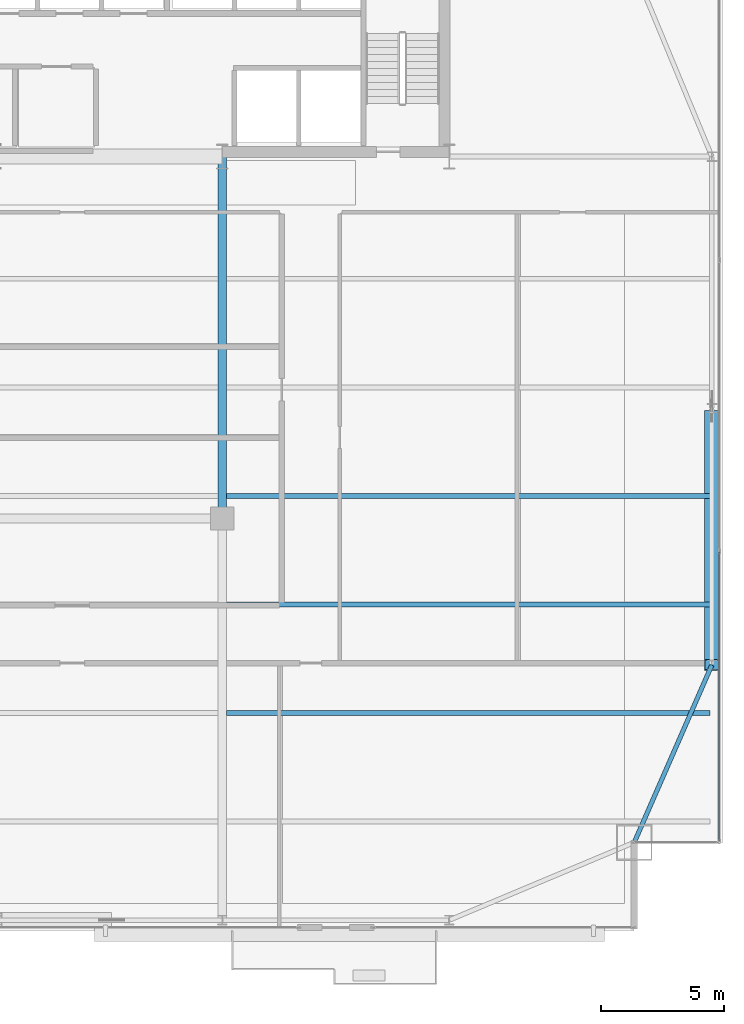
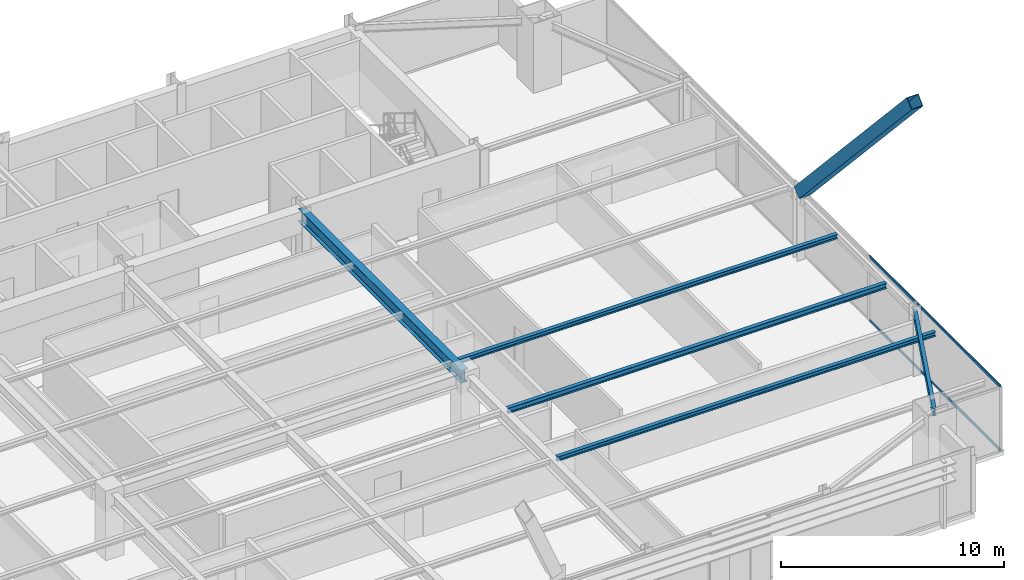
# One storey, part 17 of 37: 5 beams, 3 members, 1 element without a shape of its own.
"""IFC4 building model written with IfcOpenShell, lengths in metres."""

from ifc_helpers import new_model, si_unit, direction, frame, origin, origin_2d, place, context, subcontext, project, spatial, hollow_rectangle, i_section, extrude, source, transform, mapped, material, layer, layer_set, material_profile, profile_set, type_object, type_shapes, element, aggregate, save


model = new_model("IFC4")

# Units and contexts
model_context = context("Model", 3, precision=1e-05, world=origin(), true_north=direction((0.0, 1.0)))
body_context = subcontext(model_context, "Body", "Model", "MODEL_VIEW")
ifc_project = project(units=[si_unit("LENGTHUNIT", "METRE"), si_unit("AREAUNIT", "SQUARE_METRE"), si_unit("VOLUMEUNIT", "CUBIC_METRE"), si_unit("PLANEANGLEUNIT", "RADIAN"), si_unit("MASSUNIT", "GRAM", prefix="KILO")], contexts=[model_context])

# Site, building, storey
site_placement = place(None, origin())
site = spatial("IfcSite", under=ifc_project, at=site_placement, CompositionType="ELEMENT")
building_placement = place(site_placement, origin())
building = spatial("IfcBuilding", under=site, at=building_placement, Name="Varnel Quay Broadcast Tower", CompositionType="ELEMENT")
storey_placement = place(building_placement, frame((0.0, 0.0, 125.800048828125)))
storey = spatial("IfcBuildingStorey", under=building, at=storey_placement, Name="L30", CompositionType="ELEMENT", Elevation=125.800048828125)

# Beams
ifc_material_1 = material(Name="Structural Steel CSA G40.21 350W", Category="steel")
ifc_material_profile_1 = material_profile(ifc_material_1, i_section(OverallWidth=0.180908203125, OverallDepth=0.4169921875, WebThickness=0.010986328125, FlangeThickness=0.018310546875, FilletRadius=0.011962890625, at=origin_2d()), Name="W410X85")
ifc_profile_set_1 = profile_set([ifc_material_profile_1], Name="Structural Steel CSA G40.21 350W")
beam_type_1 = type_object("IfcBeamType", Name="Beam_W410X85", PredefinedType="SPANDREL", material=ifc_profile_set_1)
shared_shape_1 = source(origin(), body_context, "Body", "SweptSolid", [
    extrude(i_section(OverallWidth=0.180908203125, OverallDepth=0.4169921875, WebThickness=0.010986328125, FlangeThickness=0.018310546875, FilletRadius=0.011962890625, at=origin_2d()), origin(), (0.0, 0.0, 1.0), 7.81884765625),
])
type_shapes(beam_type_1, [shared_shape_1])
beam_1_placement = place(storey_placement, frame((59.907958984375, 7.818359375, 3.341552734375), z_axis=(0.400827023998, 0.916153751743, 0.0), x_axis=(-0.916153751743, 0.400827023998, 0.0)))
element("IfcBeam", 1, at=beam_1_placement, inside=storey, type_object=beam_type_1, Name="L30 East Spandrel MC-SE-TC-E1", PredefinedType="SPANDREL", context=body_context, shape_type="MappedRepresentation", body=[
    mapped(shared_shape_1, transform((0.0, 0.0, 0.0), x_axis=(1.0, 0.0, 0.0), y_axis=(0.0, 1.0, 0.0), z_axis=(0.0, 0.0, 1.0), scale=1.0)),
])
ifc_material_profile_2 = material_profile(ifc_material_1, i_section(OverallWidth=0.35498046875, OverallDepth=0.695068359375, WebThickness=0.015380859375, FlangeThickness=0.02490234375, FilletRadius=0.01806640625, at=origin_2d()), Name="W690X217")
ifc_profile_set_2 = profile_set([ifc_material_profile_2], Name="Structural Steel CSA G40.21 350W")
beam_type_2 = type_object("IfcBeamType", Name="Girder_W690X217", PredefinedType="BEAM", material=ifc_profile_set_2)
shared_shape_2 = source(origin(), body_context, "Body", "SweptSolid", [
    extrude(i_section(OverallWidth=0.35498046875, OverallDepth=0.695068359375, WebThickness=0.015380859375, FlangeThickness=0.02490234375, FilletRadius=0.01806640625, at=origin_2d()), origin(), (0.0, 0.0, 1.0), 14.630126953125),
])
type_shapes(beam_type_2, [shared_shape_2])
beam_2_placement = place(storey_placement, frame((43.199951171875, 20.949951171875, 3.202392578125), z_axis=(0.0, 1.0, 0.0), x_axis=(-1.0, 0.0, 0.0)))
element("IfcBeam", 2, at=beam_2_placement, inside=storey, type_object=beam_type_2, Name="L30 Primary Girder IC-02-CC-S4", PredefinedType="BEAM", context=body_context, shape_type="MappedRepresentation", body=[
    mapped(shared_shape_2, transform((0.0, 0.0, 0.0), x_axis=(1.0, 0.0, 0.0), y_axis=(0.0, 1.0, 0.0), z_axis=(0.0, 0.0, 1.0), scale=1.0)),
])
ifc_material_profile_3 = material_profile(ifc_material_1, i_section(OverallWidth=0.202880859375, OverallDepth=0.302978515625, WebThickness=0.007568359375, FlangeThickness=0.01318359375, FilletRadius=0.011962890625, at=origin_2d()), Name="W310X60")
ifc_profile_set_3 = profile_set([ifc_material_profile_3], Name="Structural Steel CSA G40.21 350W")
beam_type_3 = type_object("IfcBeamType", Name="Beam_W310X60", PredefinedType="JOIST", material=ifc_profile_set_3)
shared_shape_3 = source(origin(), body_context, "Body", "SweptSolid", [
    extrude(i_section(OverallWidth=0.202880859375, OverallDepth=0.302978515625, WebThickness=0.007568359375, FlangeThickness=0.01318359375, FilletRadius=0.011962890625, at=origin_2d()), origin(), (0.0, 0.0, 1.0), 19.592041015625),
])
type_shapes(beam_type_3, [shared_shape_3])
beam_3_placement = place(storey_placement, frame((43.37255859375, 17.449951171875, 3.3984375), z_axis=(1.0, 0.0, 0.0), x_axis=(0.0, 1.0, 0.0)))
element("IfcBeam", 3, at=beam_3_placement, inside=storey, type_object=beam_type_3, Name="L30 East Floor Joist 3", PredefinedType="JOIST", context=body_context, shape_type="MappedRepresentation", body=[
    mapped(shared_shape_3, transform((0.0, 0.0, 0.0), x_axis=(1.0, 0.0, 0.0), y_axis=(0.0, 1.0, 0.0), z_axis=(0.0, 0.0, 1.0), scale=1.0)),
])
ifc_material_profile_4 = material_profile(ifc_material_1, i_section(OverallWidth=0.201904296875, OverallDepth=0.2470703125, WebThickness=0.00732421875, FlangeThickness=0.010986328125, FilletRadius=0.010986328125, at=origin_2d()), Name="W250X49")
ifc_profile_set_4 = profile_set([ifc_material_profile_4], Name="Structural Steel CSA G40.21 350W")
beam_type_4 = type_object("IfcBeamType", Name="Beam_W250X49", PredefinedType="JOIST", material=ifc_profile_set_4)
shared_shape_4 = source(origin(), body_context, "Body", "SweptSolid", [
    extrude(i_section(OverallWidth=0.201904296875, OverallDepth=0.2470703125, WebThickness=0.00732421875, FlangeThickness=0.010986328125, FilletRadius=0.010986328125, at=origin_2d()), origin(), (0.0, 0.0, 1.0), 19.592041015625),
])
type_shapes(beam_type_4, [shared_shape_4])
for number, where, z_axis, x_axis, name in (
    (4, (43.37255859375, 13.050048828125, 3.426513671875), (1.0, 0.0, 0.0), (0.0, 1.0, 0.0), "L30 East Floor Joist 2"),
    (5, (43.37255859375, 21.85009765625, 3.426513671875), (1.0, 0.0, 0.0), (0.0, 1.0, 0.0), "L30 East Floor Joist 4"),
):
    element("IfcBeam", number, at=place(storey_placement, frame(where, z_axis=z_axis, x_axis=x_axis)), inside=storey, type_object=beam_type_4, Name=name, PredefinedType="JOIST", context=body_context, shape_type="MappedRepresentation", body=[
        mapped(shared_shape_4, transform((0.0, 0.0, 0.0), x_axis=(1.0, 0.0, 0.0), y_axis=(0.0, 1.0, 0.0), z_axis=(0.0, 0.0, 1.0), scale=1.0)),
    ])

# Member
ifc_material_2 = material(Name="Structural Steel CSA G40.21 350WT", Category="steel")
ifc_material_profile_5 = material_profile(ifc_material_2, hollow_rectangle(XDim=0.60009765625, YDim=0.60009765625, WallThickness=0.028076171875, at=origin_2d()), Name="BOX600X600X28")
ifc_profile_set_5 = profile_set([ifc_material_profile_5], Name="Structural Steel CSA G40.21 350WT")
member_type_1 = type_object("IfcMemberType", Name="Brace_BOX600X600X28", PredefinedType="BRACE", material=ifc_profile_set_5)
shared_shape_5 = source(origin(), body_context, "Body", "SweptSolid", [
    extrude(hollow_rectangle(XDim=0.60009765625, YDim=0.60009765625, WallThickness=0.028076171875, at=origin_2d()), origin(), (0.0, 0.0, 1.0), 14.90478515625),
])
type_shapes(member_type_1, [shared_shape_5])
member_1_placement = place(storey_placement, frame((63.050048828125, 25.07958984375, 3.880126953125), z_axis=(0.0, -0.676265172552, 0.736658276539), x_axis=(1.0, 0.0, 0.0)))
element("IfcMember", 6, at=member_1_placement, inside=storey, type_object=member_type_1, Name="Zone 2 Mega-Brace E-FT3 Split Diag B2", PredefinedType="BRACE", context=body_context, shape_type="MappedRepresentation", body=[
    mapped(shared_shape_5, transform((0.0, 0.0, 0.0), x_axis=(1.0, 0.0, 0.0), y_axis=(0.0, 1.0, 0.0), z_axis=(0.0, 0.0, 1.0), scale=1.0)),
])

# Curtain wall, members
ifc_material_3 = material(Name="Anodised Bronze Aluminium 6063-T6", Category="aluminium")
ifc_layer = layer(ifc_material_3, 0.18994140625, Name="Anodised Bronze Aluminium 6063-T6")
ifc_layer_set = layer_set([ifc_layer], Name="Anodised Bronze Aluminium 6063-T6")
curtain_wall_type = type_object("IfcCurtainWallType", Name="CW_LowerTower", PredefinedType="NOTDEFINED", material=ifc_layer_set)
curtain_wall_placement = place(storey_placement, origin())
curtain_wall = element("IfcCurtainWall", 7, at=curtain_wall_placement, inside=storey, type_object=curtain_wall_type, Name="L30 East Unitised Curtain Wall", PredefinedType="NOTDEFINED")
ifc_material_profile_6 = material_profile(ifc_material_3, hollow_rectangle(XDim=0.06005859375, YDim=0.14501953125, WallThickness=0.00341796875, at=origin_2d()), Name="ALU60X145X3.5")
ifc_profile_set_6 = profile_set([ifc_material_profile_6], Name="Anodised Bronze Aluminium 6063-T6")
member_type_2 = type_object("IfcMemberType", Name="Tran_CWS-02", PredefinedType="USERDEFINED", material=ifc_profile_set_6)
shared_shape_6 = source(origin(), body_context, "Body", "SweptSolid", [
    extrude(hollow_rectangle(XDim=0.06005859375, YDim=0.14501953125, WallThickness=0.00341796875, at=origin_2d()), origin(), (0.0, 0.0, 1.0), 11.69482421875),
])
type_shapes(member_type_2, [shared_shape_6])
member_2_placement = place(storey_placement, frame((63.35009765625, 7.8701171875, 0.030029296875), z_axis=(0.0, 1.0, 0.0), x_axis=(-1.0, 0.0, 0.0)))
member_2 = element("IfcMember", 8, at=member_2_placement, type_object=member_type_2, Name="CWS-02 transom 1.1", ObjectType="TRANSOM", PredefinedType="USERDEFINED", context=body_context, shape_type="MappedRepresentation", body=[
    mapped(shared_shape_6, transform((0.0, 0.0, 0.0), x_axis=(1.0, 0.0, 0.0), y_axis=(0.0, 1.0, 0.0), z_axis=(0.0, 0.0, 1.0), scale=1.0)),
])
member_3_placement = place(storey_placement, frame((63.35009765625, 7.8701171875, 3.52001953125), z_axis=(0.0, 1.0, 0.0), x_axis=(-1.0, 0.0, 0.0)))
member_3 = element("IfcMember", 9, at=member_3_placement, type_object=member_type_2, Name="CWS-02 transom 1.2", ObjectType="TRANSOM", PredefinedType="USERDEFINED", context=body_context, shape_type="MappedRepresentation", body=[
    mapped(shared_shape_6, transform((0.0, 0.0, 0.0), x_axis=(1.0, 0.0, 0.0), y_axis=(0.0, 1.0, 0.0), z_axis=(0.0, 0.0, 1.0), scale=1.0)),
])
aggregate(curtain_wall, [member_2, member_3])

save(model, "model.ifc")
